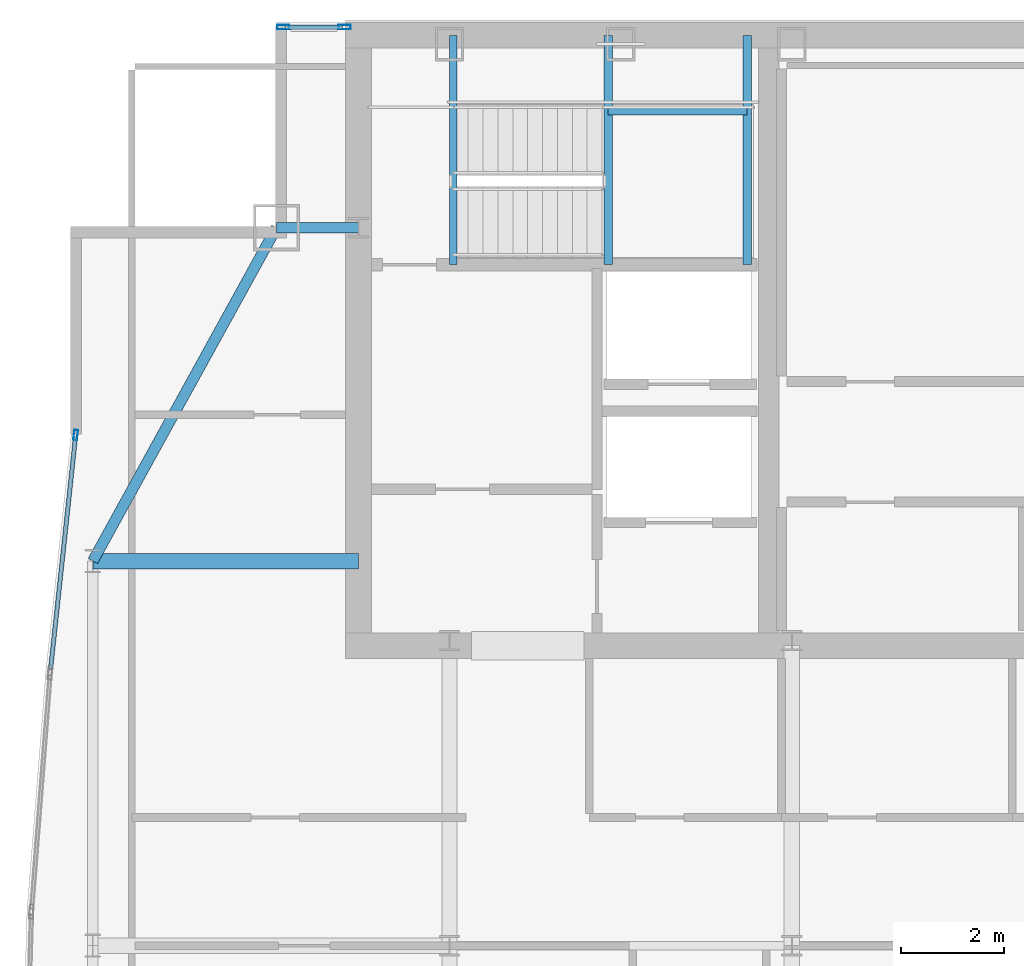
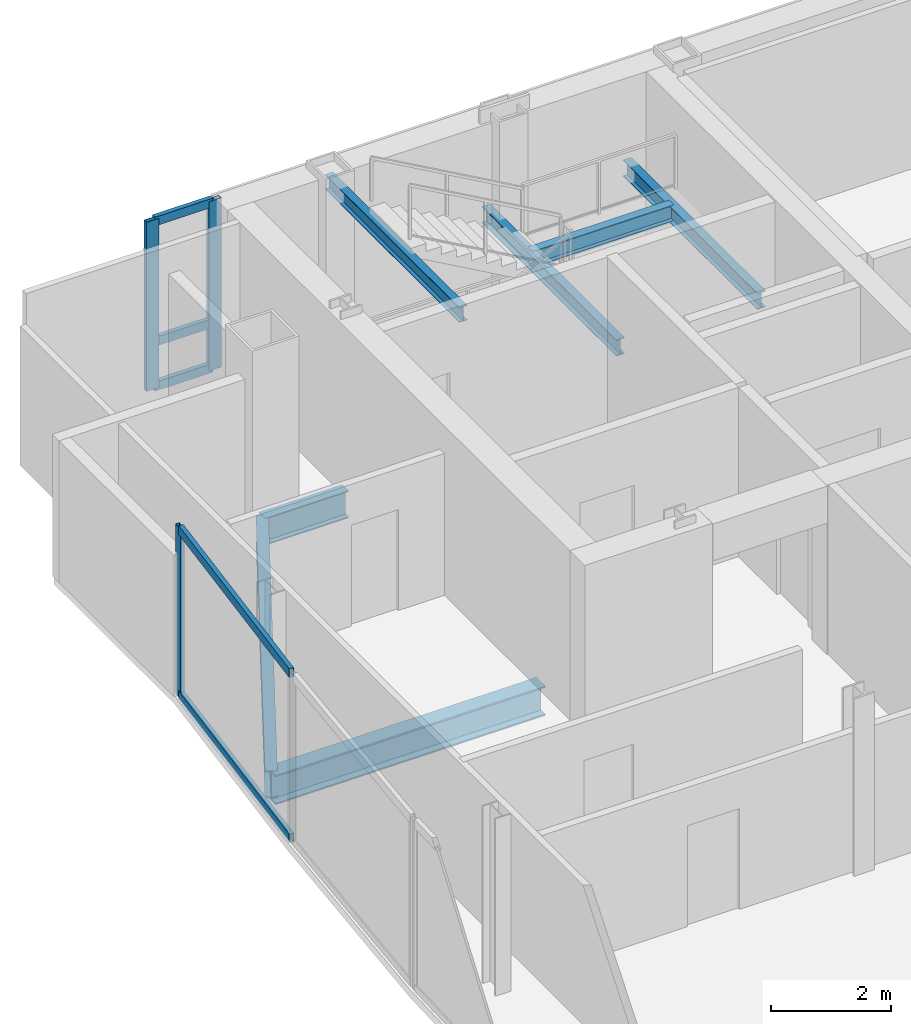
# One storey, part 18 of 27: 8 members, 7 beams, 2 elements without a shape of their own.
"""IFC4 building model written with IfcOpenShell, lengths in metres."""

from ifc_helpers import new_model, si_unit, direction, frame, origin, origin_2d, place, context, subcontext, project, spatial, hollow_rectangle, i_section, extrude, material, material_profile, profile_set, type_object, element, aggregate, save


model = new_model("IFC4")

# Units and contexts
model_context = context("Model", 3, precision=1e-05, world=origin(), true_north=direction((0.0, 1.0)))
body_context = subcontext(model_context, "Body", "Model", "MODEL_VIEW")
ifc_project = project(units=[si_unit("LENGTHUNIT", "METRE"), si_unit("AREAUNIT", "SQUARE_METRE"), si_unit("VOLUMEUNIT", "CUBIC_METRE"), si_unit("PLANEANGLEUNIT", "RADIAN"), si_unit("MASSUNIT", "GRAM", prefix="KILO")], contexts=[model_context])

# Site, building, storey
site_placement = place(None, origin())
site = spatial("IfcSite", under=ifc_project, at=site_placement, CompositionType="ELEMENT")
building_placement = place(site_placement, origin())
building = spatial("IfcBuilding", under=site, at=building_placement, Name="Khoronbel Lancet Exchange", CompositionType="ELEMENT")
storey_placement = place(building_placement, frame((0.0, 0.0, 343.39990234375)))
storey = spatial("IfcBuildingStorey", under=building, at=storey_placement, Name="L89", CompositionType="ELEMENT", Elevation=343.39990234375)

# Beams
ifc_material_1 = material(Name="Steel S355", Category="steel")
ifc_material_profile_1 = material_profile(ifc_material_1, i_section(OverallWidth=0.300048828125, OverallDepth=0.60009765625, WebThickness=0.015380859375, FlangeThickness=0.030029296875, at=origin_2d()), Name="HEB 600")
ifc_profile_set_1 = profile_set([ifc_material_profile_1], Name="Steel S355")
beam_type_1 = type_object("IfcBeamType", Name="BM-BG5", PredefinedType="BEAM", material=ifc_profile_set_1)
beam_1_placement = place(storey_placement, frame((11.27001953125, 43.199951171875, -0.4599609375), z_axis=(1.0, 0.0, 0.0), x_axis=(0.0, 1.0, 0.0)))
element("IfcBeam", 1, at=beam_1_placement, inside=storey, type_object=beam_type_1, Name="Level L89 west lens tie girder LG3W", PredefinedType="BEAM", context=body_context, shape_type="SweptSolid", body=[
    extrude(i_section(OverallWidth=0.300048828125, OverallDepth=0.60009765625, WebThickness=0.015380859375, FlangeThickness=0.030029296875, at=origin_2d()), origin(), (0.0, 0.0, 1.0), 5.179931640625),
])
ifc_material_profile_2 = material_profile(ifc_material_1, i_section(OverallWidth=0.159912109375, OverallDepth=0.330078125, WebThickness=0.007568359375, FlangeThickness=0.011474609375, at=origin_2d()), Name="IPE 330")
ifc_profile_set_2 = profile_set([ifc_material_profile_2], Name="Steel S355")
beam_type_2 = type_object("IfcBeamType", Name="BM-BJ7", PredefinedType="JOIST", material=ifc_profile_set_2)
for number, where, z_axis, x_axis, name in (
    (2, (21.320068359375, 48.97998046875, 1.43505859375), (0.0, 1.0, 0.0), (-1.0, 0.0, 0.0), "Level L89 stair ST1 landing bearer beam 1"),
    (3, (24.030029296875, 48.97998046875, 1.43505859375), (0.0, 1.0, 0.0), (-1.0, 0.0, 0.0), "Level L89 stair ST1 rear landing bearer beam 1"),
):
    element("IfcBeam", number, at=place(storey_placement, frame(where, z_axis=z_axis, x_axis=x_axis)), inside=storey, type_object=beam_type_2, Name=name, PredefinedType="JOIST", context=body_context, shape_type="SweptSolid", body=[
        extrude(i_section(OverallWidth=0.159912109375, OverallDepth=0.330078125, WebThickness=0.007568359375, FlangeThickness=0.011474609375, at=origin_2d()), origin(), (0.0, 0.0, 1.0), 4.469970703125),
    ])
beam_2_placement = place(storey_placement, frame((21.320068359375, 51.97998046875, 1.43505859375), z_axis=(1.0, 0.0, 0.0), x_axis=(0.0, 1.0, 0.0)))
element("IfcBeam", 4, at=beam_2_placement, inside=storey, type_object=beam_type_2, Name="Level L89 stair ST1 landing cross trimmer beam 1", PredefinedType="JOIST", context=body_context, shape_type="SweptSolid", body=[
    extrude(i_section(OverallWidth=0.159912109375, OverallDepth=0.330078125, WebThickness=0.007568359375, FlangeThickness=0.011474609375, at=origin_2d()), origin(), (0.0, 0.0, 1.0), 2.7099609375),
])
ifc_material_profile_3 = material_profile(ifc_material_1, i_section(OverallWidth=0.14990234375, OverallDepth=0.300048828125, WebThickness=0.007080078125, FlangeThickness=0.0107421875, at=origin_2d()), Name="IPE 300")
ifc_profile_set_3 = profile_set([ifc_material_profile_3], Name="Steel S355")
beam_type_3 = type_object("IfcBeamType", Name="BM-BJ8", PredefinedType="JOIST", material=ifc_profile_set_3)
beam_3_placement = place(storey_placement, frame((18.300048828125, 48.97998046875, 3.16015625), z_axis=(0.0, 1.0, 0.0), x_axis=(-1.0, 0.0, 0.0)))
element("IfcBeam", 5, at=beam_3_placement, inside=storey, type_object=beam_type_3, Name="Level L89 stair ST1 upper-flight arrival trimmer beam", PredefinedType="JOIST", context=body_context, shape_type="SweptSolid", body=[
    extrude(i_section(OverallWidth=0.14990234375, OverallDepth=0.300048828125, WebThickness=0.007080078125, FlangeThickness=0.0107421875, at=origin_2d()), origin(), (0.0, 0.0, 1.0), 4.469970703125),
])
ifc_material_profile_4 = material_profile(ifc_material_1, i_section(OverallWidth=0.2099609375, OverallDepth=0.550048828125, WebThickness=0.010986328125, FlangeThickness=0.01708984375, at=origin_2d()), Name="IPE 550")
ifc_profile_set_4 = profile_set([ifc_material_profile_4], Name="Steel S355")
beam_type_4 = type_object("IfcBeamType", Name="BM-BSP3", PredefinedType="SPANDREL", material=ifc_profile_set_4)
beam_4_placement = place(storey_placement, frame((14.85009765625, 49.699951171875, -0.434814453125), z_axis=(-0.482444051088, -0.875926787791, 0.0), x_axis=(0.875926787791, -0.482444051088, 0.0)))
element("IfcBeam", 6, at=beam_4_placement, inside=storey, type_object=beam_type_4, Name="Level L89 perimeter spandrel beam SP14", PredefinedType="SPANDREL", context=body_context, shape_type="SweptSolid", body=[
    extrude(i_section(OverallWidth=0.2099609375, OverallDepth=0.550048828125, WebThickness=0.010986328125, FlangeThickness=0.01708984375, at=origin_2d()), origin(), (0.0, 0.0, 1.0), 7.420654296875),
])
beam_5_placement = place(storey_placement, frame((14.85009765625, 49.699951171875, -0.434814453125), z_axis=(1.0, 0.0, 0.0), x_axis=(0.0, 1.0, 0.0)))
element("IfcBeam", 7, at=beam_5_placement, inside=storey, type_object=beam_type_4, Name="Level L89 north flank tie spandrel SP20", PredefinedType="SPANDREL", context=body_context, shape_type="SweptSolid", body=[
    extrude(i_section(OverallWidth=0.2099609375, OverallDepth=0.550048828125, WebThickness=0.010986328125, FlangeThickness=0.01708984375, at=origin_2d()), origin(), (0.0, 0.0, 1.0), 1.599853515625),
])

# Curtain wall, members
ifc_material_2 = material(Name="Low-E Solar Control Insulating Glass", Category="glass")
curtain_wall_type_1 = type_object("IfcCurtainWallType", Name="CW-3", PredefinedType="NOTDEFINED", material=ifc_material_2)
curtain_wall_1_placement = place(storey_placement, origin())
curtain_wall_1 = element("IfcCurtainWall", 8, at=curtain_wall_1_placement, inside=storey, type_object=curtain_wall_type_1, Name="Unitised curtain wall CW-L89-NWFLK", PredefinedType="NOTDEFINED")
ifc_material_3 = material(Name="Bronze-Anodised Aluminium 6063-T6", Category="aluminium")
ifc_material_profile_5 = material_profile(ifc_material_3, hollow_rectangle(XDim=0.0849609375, YDim=0.239990234375, WallThickness=0.006103515625, at=origin_2d()), Name="ALU MULLION 85x240")
ifc_profile_set_5 = profile_set([ifc_material_profile_5], Name="Bronze-Anodised Aluminium 6063-T6")
member_type_1 = type_object("IfcMemberType", Name="MEM-CWM1", PredefinedType="MULLION", material=ifc_profile_set_5)
member_1_placement = place(storey_placement, frame((16.177490234375, 53.610107421875, 0.0), z_axis=(0.0, 0.0, 1.0), x_axis=(0.0, -1.0, 0.0)))
member_1 = element("IfcMember", 9, at=member_1_placement, type_object=member_type_1, Name="CW3 mullion 1", PredefinedType="MULLION", context=body_context, shape_type="SweptSolid", body=[
    extrude(hollow_rectangle(XDim=0.0849609375, YDim=0.239990234375, WallThickness=0.006103515625, at=origin_2d()), origin(), (0.0, 0.0, 1.0), 3.440185546875),
])
member_2_placement = place(storey_placement, frame((14.982421875, 53.610107421875, 0.0), z_axis=(0.0, 0.0, 1.0), x_axis=(0.0, -1.0, 0.0)))
member_2 = element("IfcMember", 10, at=member_2_placement, type_object=member_type_1, Name="CW3 mullion 2", PredefinedType="MULLION", context=body_context, shape_type="SweptSolid", body=[
    extrude(hollow_rectangle(XDim=0.0849609375, YDim=0.239990234375, WallThickness=0.006103515625, at=origin_2d()), origin(), (0.0, 0.0, 1.0), 3.440185546875),
])

curtain_wall_type_2 = type_object("IfcCurtainWallType", Name="CW-4", PredefinedType="NOTDEFINED", material=ifc_material_2)
curtain_wall_2_placement = place(storey_placement, origin())
curtain_wall_2 = element("IfcCurtainWall", 11, at=curtain_wall_2_placement, inside=storey, type_object=curtain_wall_type_2, Name="Unitised curtain wall CW-L89-E09", PredefinedType="NOTDEFINED")
ifc_material_profile_6 = material_profile(ifc_material_3, hollow_rectangle(XDim=0.074951171875, YDim=0.199951171875, WallThickness=0.0048828125, at=origin_2d()), Name="ALU MULLION 75x200")
ifc_profile_set_6 = profile_set([ifc_material_profile_6], Name="Bronze-Anodised Aluminium 6063-T6")
member_type_2 = type_object("IfcMemberType", Name="MEM-CWM2", PredefinedType="MULLION", material=ifc_profile_set_6)
member_3_placement = place(storey_placement, frame((10.93603515625, 45.657958984375, 0.0), z_axis=(0.0, 0.0, 1.0), x_axis=(-0.994308670645, 0.106537634098, 0.0)))
member_3 = element("IfcMember", 12, at=member_3_placement, type_object=member_type_2, Name="CW4 mullion 2", PredefinedType="MULLION", context=body_context, shape_type="SweptSolid", body=[
    extrude(hollow_rectangle(XDim=0.074951171875, YDim=0.199951171875, WallThickness=0.0048828125, at=origin_2d()), origin(), (0.0, 0.0, 1.0), 3.440185546875),
])
ifc_material_profile_7 = material_profile(ifc_material_3, hollow_rectangle(XDim=0.0849609375, YDim=0.179931640625, WallThickness=0.0048828125, at=origin_2d()), Name="ALU TRANSOM 85x180")
ifc_profile_set_7 = profile_set([ifc_material_profile_7], Name="Bronze-Anodised Aluminium 6063-T6")
member_type_3 = type_object("IfcMemberType", Name="MEM-CWT1", PredefinedType="USERDEFINED", material=ifc_profile_set_7)
member_4_placement = place(storey_placement, frame((10.447509765625, 41.099609375, 0.04248046875), z_axis=(0.106582416275, 0.99430387133, 0.0), x_axis=(-0.99430387133, 0.106582416275, 0.0)))
member_4 = element("IfcMember", 13, at=member_4_placement, type_object=member_type_3, Name="CW4 transom 1.1", ObjectType="TRANSOM", PredefinedType="USERDEFINED", context=body_context, shape_type="SweptSolid", body=[
    extrude(hollow_rectangle(XDim=0.0849609375, YDim=0.179931640625, WallThickness=0.0048828125, at=origin_2d()), origin(), (0.0, 0.0, 1.0), 4.546875),
])
member_5_placement = place(storey_placement, frame((10.447509765625, 41.099609375, 3.397705078125), z_axis=(0.106582416275, 0.99430387133, 0.0), x_axis=(-0.99430387133, 0.106582416275, 0.0)))
member_5 = element("IfcMember", 14, at=member_5_placement, type_object=member_type_3, Name="CW4 transom 1.2", ObjectType="TRANSOM", PredefinedType="USERDEFINED", context=body_context, shape_type="SweptSolid", body=[
    extrude(hollow_rectangle(XDim=0.0849609375, YDim=0.179931640625, WallThickness=0.0048828125, at=origin_2d()), origin(), (0.0, 0.0, 1.0), 4.546875),
])
aggregate(curtain_wall_2, [member_3, member_4, member_5])

# Member
member_6_placement = place(storey_placement, frame((16.135009765625, 53.610107421875, 0.04248046875), z_axis=(-1.0, 0.0, 0.0), x_axis=(0.0, -1.0, 0.0)))
member_6 = element("IfcMember", 15, at=member_6_placement, type_object=member_type_3, Name="CW3 transom 1.1", ObjectType="TRANSOM", PredefinedType="USERDEFINED", context=body_context, shape_type="SweptSolid", body=[
    extrude(hollow_rectangle(XDim=0.0849609375, YDim=0.179931640625, WallThickness=0.0048828125, at=origin_2d()), origin(), (0.0, 0.0, 1.0), 1.110107421875),
])

member_7_placement = place(storey_placement, frame((16.135009765625, 53.610107421875, 0.9501953125), z_axis=(-1.0, 0.0, 0.0), x_axis=(0.0, -1.0, 0.0)))
member_7 = element("IfcMember", 16, at=member_7_placement, type_object=member_type_3, Name="CW3 transom 1.2", ObjectType="TRANSOM", PredefinedType="USERDEFINED", context=body_context, shape_type="SweptSolid", body=[
    extrude(hollow_rectangle(XDim=0.0849609375, YDim=0.179931640625, WallThickness=0.0048828125, at=origin_2d()), origin(), (0.0, 0.0, 1.0), 1.110107421875),
])

member_8_placement = place(storey_placement, frame((16.135009765625, 53.610107421875, 3.397705078125), z_axis=(-1.0, 0.0, 0.0), x_axis=(0.0, -1.0, 0.0)))
member_8 = element("IfcMember", 17, at=member_8_placement, type_object=member_type_3, Name="CW3 transom 1.3", ObjectType="TRANSOM", PredefinedType="USERDEFINED", context=body_context, shape_type="SweptSolid", body=[
    extrude(hollow_rectangle(XDim=0.0849609375, YDim=0.179931640625, WallThickness=0.0048828125, at=origin_2d()), origin(), (0.0, 0.0, 1.0), 1.110107421875),
])

aggregate(curtain_wall_1, [member_1, member_2, member_6, member_7, member_8])

save(model, "model.ifc")
